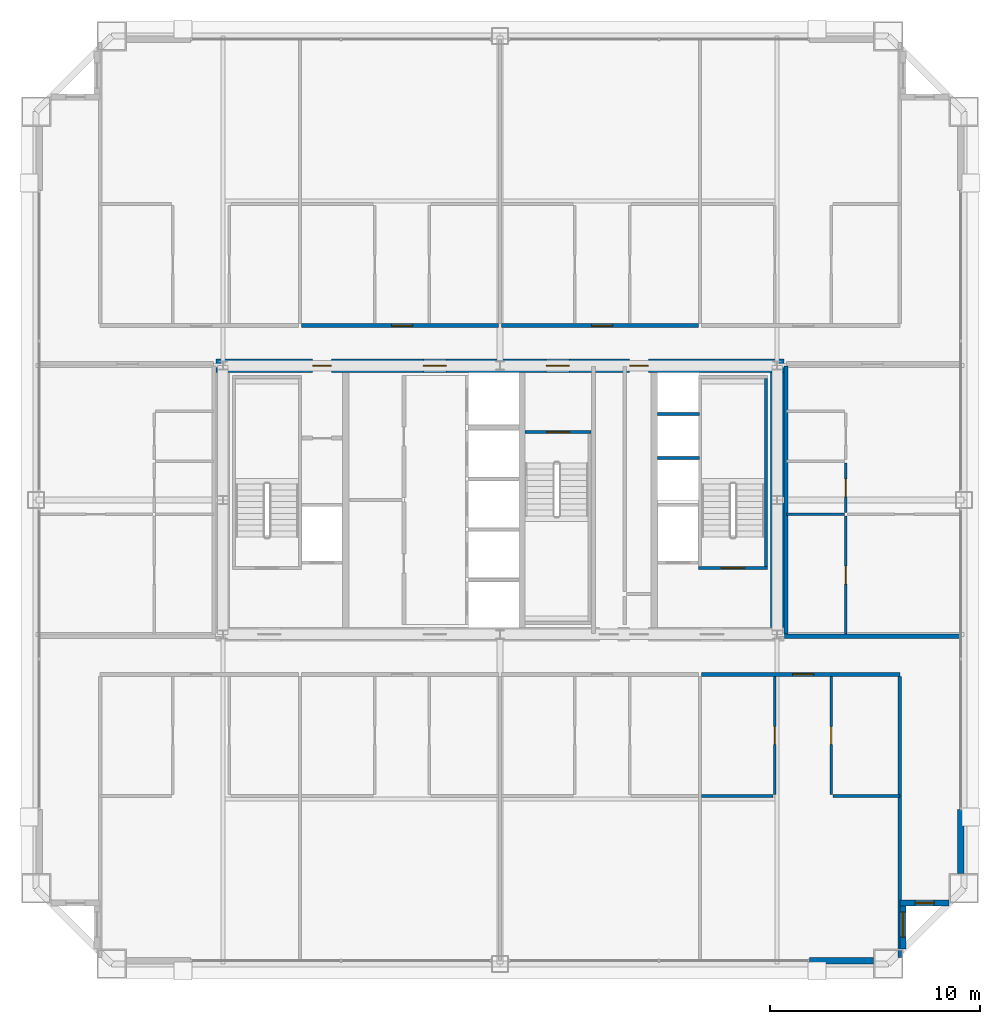
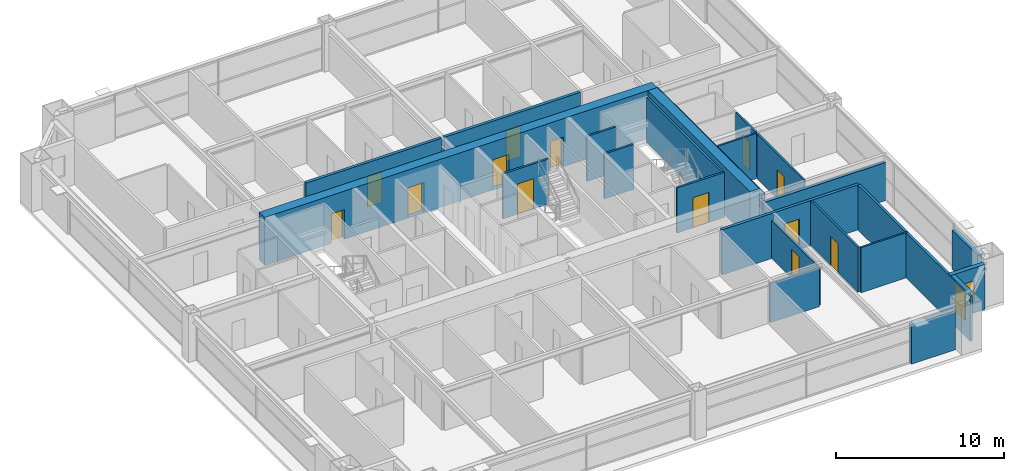
# One storey, part 35 of 38: 24 walls, 13 doors, 2 windows, 15 openings.
"""IFC4 building model written with IfcOpenShell, lengths in metres."""

from ifc_helpers import new_model, si_unit, direction, frame, frame_2d, origin, place, context, subcontext, project, spatial, rectangle, extrude, source, transform, mapped, material, layer, layer_set, type_object, element, fill, save


model = new_model("IFC4")

# Units and contexts
model_context = context("Model", 3, precision=1e-05, world=origin(), true_north=direction((0.0, 1.0)))
body_context = subcontext(model_context, "Body", "Model", "MODEL_VIEW")
ifc_project = project(units=[si_unit("LENGTHUNIT", "METRE"), si_unit("AREAUNIT", "SQUARE_METRE"), si_unit("VOLUMEUNIT", "CUBIC_METRE"), si_unit("PLANEANGLEUNIT", "RADIAN"), si_unit("MASSUNIT", "GRAM", prefix="KILO"), si_unit("THERMODYNAMICTEMPERATUREUNIT", "KELVIN"), si_unit("POWERUNIT", "WATT")], contexts=[model_context])

# Site, building, storey
site_placement = place(None, origin())
site = spatial("IfcSite", under=ifc_project, at=site_placement, CompositionType="ELEMENT")
building_placement = place(site_placement, origin())
building = spatial("IfcBuilding", under=site, at=building_placement, Name="Yuzanri Waterfront Tower", CompositionType="ELEMENT")
storey_placement = place(building_placement, frame((0.0, 0.0, 181.0)))
storey = spatial("IfcBuildingStorey", under=building, at=storey_placement, Name="L47", CompositionType="ELEMENT", Elevation=181.0)

# Wall, opening, door
ifc_material_1 = material(Name="Moisture-Resistant Gypsum Stud Wall", Category="gypsum")
ifc_layer_1 = layer(ifc_material_1, 0.1201171875)
ifc_layer_set_1 = layer_set([ifc_layer_1], Name="Moisture-Resistant Gypsum Stud Wall")
wall_type_1 = type_object("IfcWallType", Name="Bathroom and Kitchen Wet Partition 120", PredefinedType="PARTITIONING", material=ifc_layer_set_1)
wall_1_placement = place(storey_placement, frame((50.090087890625, 11.780029296875, 0.0), z_axis=(0.0, 0.0, 1.0), x_axis=(0.0, 1.0, 0.0)))
wall_1 = element("IfcWall", 1, at=wall_1_placement, inside=storey, type_object=wall_type_1, Name="L47 Partition UW-L47-RS4-SUB-1-E", PredefinedType="PARTITIONING", context=body_context, shape_type="SweptSolid", body=[
    extrude(rectangle(XDim=5.60986328125, YDim=0.1201171875, at=frame_2d((2.804931640625, 0.0))), origin(), (0.0, 0.0, 1.0), 2.77490234375),
])
opening_1_placement = place(wall_1_placement, frame((2.3798828125, 0.0, 0.0)))
opening_1 = element("IfcOpeningElement", 2, at=opening_1_placement, cuts=wall_1, Name="Opening ID-0850", PredefinedType="OPENING", context=body_context, shape_type="SweptSolid", body=[
    extrude(rectangle(XDim=0.85009765625, YDim=2.10009765625, at=frame_2d((0.425048828125, 1.050048828125))), frame((0.0, 0.074951171875, 0.0), z_axis=(0.0, -1.0, 0.0), x_axis=(1.0, 0.0, 0.0)), (0.0, 0.0, 1.0), 0.14990234375),
])
ifc_material_2 = material(Name="Moisture-Resistant Lacquered Timber", Category="wood")
door_type_1 = type_object("IfcDoorType", Name="En-Suite Bathroom and Kitchen Swing Door 850x2100", OperationType="NOTDEFINED", PredefinedType="DOOR", material=ifc_material_2)
shared_shape_1 = source(origin(), body_context, "Body", "SweptSolid", [
    extrude(rectangle(XDim=0.85009765625, YDim=2.10009765625, at=frame_2d((0.425048828125, 1.050048828125))), frame((0.0, 0.02490234375, 0.0), z_axis=(0.0, -1.0, 0.0), x_axis=(1.0, 0.0, 0.0)), (0.0, 0.0, 1.0), 0.050048828125),
])
door_1_placement = place(opening_1_placement, origin())
door_1 = element("IfcDoor", 3, at=door_1_placement, inside=storey, type_object=door_type_1, Name="L47 Suite Interior Room Door", OperationType="SINGLE_SWING_RIGHT", OverallHeight=2.10009765625, OverallWidth=0.85009765625, PredefinedType="DOOR", context=body_context, shape_type="MappedRepresentation", body=[
    mapped(shared_shape_1, transform((0.0, 0.0, 0.0), scale=1.0)),
])
fill(opening_1, door_1)

wall_2_placement = place(storey_placement, frame((52.780029296875, 11.780029296875, 0.0), z_axis=(0.0, 0.0, 1.0), x_axis=(0.0, 1.0, 0.0)))
wall_2 = element("IfcWall", 4, at=wall_2_placement, inside=storey, type_object=wall_type_1, Name="L47 Partition UW-L47-RS4-SUB-2-W", PredefinedType="PARTITIONING", context=body_context, shape_type="SweptSolid", body=[
    extrude(rectangle(XDim=5.60986328125, YDim=0.1201171875, at=frame_2d((2.804931640625, 0.0))), origin(), (0.0, 0.0, 1.0), 3.280029296875),
])
opening_2_placement = place(wall_2_placement, frame((2.3798828125, 0.0, 0.0)))
opening_2 = element("IfcOpeningElement", 5, at=opening_2_placement, cuts=wall_2, Name="Opening ID-0850", PredefinedType="OPENING", context=body_context, shape_type="SweptSolid", body=[
    extrude(rectangle(XDim=0.85009765625, YDim=2.10009765625, at=frame_2d((0.425048828125, 1.050048828125))), frame((0.0, 0.074951171875, 0.0), z_axis=(0.0, -1.0, 0.0), x_axis=(1.0, 0.0, 0.0)), (0.0, 0.0, 1.0), 0.14990234375),
])
door_2_placement = place(opening_2_placement, origin())
door_2 = element("IfcDoor", 6, at=door_2_placement, inside=storey, type_object=door_type_1, Name="L47 Suite Interior Room Door", OperationType="SINGLE_SWING_LEFT", OverallHeight=2.10009765625, OverallWidth=0.85009765625, PredefinedType="DOOR", context=body_context, shape_type="MappedRepresentation", body=[
    mapped(shared_shape_1, transform((0.0, 0.0, 0.0), scale=1.0)),
])
fill(opening_2, door_2)

wall_3_placement = place(storey_placement, frame((53.47998046875, 25.193115234375, 0.0), z_axis=(0.0, 0.0, 1.0), x_axis=(0.0, 1.0, 0.0)))
wall_3 = element("IfcWall", 7, at=wall_3_placement, inside=storey, type_object=wall_type_1, Name="L47 Partition UW-L47-RE1-SUB-1-E", PredefinedType="PARTITIONING", context=body_context, shape_type="SweptSolid", body=[
    extrude(rectangle(XDim=2.37890625, YDim=0.1201171875, at=frame_2d((1.189453125, 0.0))), origin(), (0.0, 0.0, 1.0), 3.280029296875),
])
opening_3_placement = place(wall_3_placement, frame((0.764404296875, 0.0, 0.0)))
opening_3 = element("IfcOpeningElement", 8, at=opening_3_placement, cuts=wall_3, Name="Opening ID-0850", PredefinedType="OPENING", context=body_context, shape_type="SweptSolid", body=[
    extrude(rectangle(XDim=0.85009765625, YDim=2.10009765625, at=frame_2d((0.425048828125, 1.050048828125))), frame((0.0, 0.074951171875, 0.0), z_axis=(0.0, -1.0, 0.0), x_axis=(1.0, 0.0, 0.0)), (0.0, 0.0, 1.0), 0.14990234375),
])
door_3_placement = place(opening_3_placement, origin())
door_3 = element("IfcDoor", 9, at=door_3_placement, inside=storey, type_object=door_type_1, Name="L47 Suite Interior Room Door", OperationType="SINGLE_SWING_RIGHT", OverallHeight=2.10009765625, OverallWidth=0.85009765625, PredefinedType="DOOR", context=body_context, shape_type="MappedRepresentation", body=[
    mapped(shared_shape_1, transform((0.0, 0.0, 0.0), scale=1.0)),
])
fill(opening_3, door_3)

wall_4_placement = place(storey_placement, frame((53.47998046875, 19.409912109375, 0.0), z_axis=(0.0, 0.0, 1.0), x_axis=(0.0, 1.0, 0.0)))
wall_4 = element("IfcWall", 10, at=wall_4_placement, inside=storey, type_object=wall_type_1, Name="L47 Partition UW-L47-RE1-SUB-3-W", PredefinedType="PARTITIONING", context=body_context, shape_type="SweptSolid", body=[
    extrude(rectangle(XDim=5.623046875, YDim=0.1201171875, at=frame_2d((2.8115234375, 0.0))), origin(), (0.0, 0.0, 1.0), 3.280029296875),
])
opening_4_placement = place(wall_4_placement, frame((2.386474609375, 0.0, 0.0)))
opening_4 = element("IfcOpeningElement", 11, at=opening_4_placement, cuts=wall_4, Name="Opening ID-0850", PredefinedType="OPENING", context=body_context, shape_type="SweptSolid", body=[
    extrude(rectangle(XDim=0.85009765625, YDim=2.10009765625, at=frame_2d((0.425048828125, 1.050048828125))), frame((0.0, 0.074951171875, 0.0), z_axis=(0.0, -1.0, 0.0), x_axis=(1.0, 0.0, 0.0)), (0.0, 0.0, 1.0), 0.14990234375),
])
door_4_placement = place(opening_4_placement, origin())
door_4 = element("IfcDoor", 12, at=door_4_placement, inside=storey, type_object=door_type_1, Name="L47 Suite Interior Room Door", OperationType="SINGLE_SWING_LEFT", OverallHeight=2.10009765625, OverallWidth=0.85009765625, PredefinedType="DOOR", context=body_context, shape_type="MappedRepresentation", body=[
    mapped(shared_shape_1, transform((0.0, 0.0, 0.0), scale=1.0)),
])
fill(opening_4, door_4)

# Wall, opening, window
ifc_material_3 = material(Name="Honed Chongqing Dark Basalt Stone", Category="masonry")
ifc_layer_2 = layer(ifc_material_3, 0.300048828125)
ifc_layer_set_2 = layer_set([ifc_layer_2], Name="Honed Chongqing Dark Basalt Stone")
wall_type_2 = type_object("IfcWallType", Name="Bronze Rainscreen Insulated Spandrel Portal Wall 300", PredefinedType="SOLIDWALL", material=ifc_layer_set_2)
wall_5_placement = place(storey_placement, frame((56.050048828125, 6.60009765625, 0.0), z_axis=(0.0, 0.0, 1.0), x_axis=(1.0, 0.0, 0.0)))
wall_5 = element("IfcWall", 13, at=wall_5_placement, inside=storey, type_object=wall_type_2, Name="L47 Notched Corner Masonry Wall SE-X", PredefinedType="SOLIDWALL", context=body_context, shape_type="SweptSolid", body=[
    extrude(rectangle(XDim=2.349853515625, YDim=0.300048828125, at=frame_2d((1.1748046875, 0.0))), origin(), (0.0, 0.0, 1.0), 3.280029296875),
])
opening_5_placement = place(wall_5_placement, frame((0.72509765625, 0.0, 0.85009765625)))
opening_5 = element("IfcOpeningElement", 14, at=opening_5_placement, cuts=wall_5, Name="Opening WN-05", PredefinedType="OPENING", context=body_context, shape_type="SweptSolid", body=[
    extrude(rectangle(XDim=0.89990234375, YDim=1.5, at=frame_2d((0.449951171875, 0.75))), frame((0.0, 0.1650390625, 0.0), z_axis=(0.0, -1.0, 0.0), x_axis=(1.0, 0.0, 0.0)), (0.0, 0.0, 1.0), 0.329833984375),
])
ifc_material_4 = material(Name="Double-Silver Low-E Insulated Glass", Category="glass")
window_type_1 = type_object("IfcWindowType", Name="Anodized Bronze Service and Stairwell Smoke-Vent Window 900x1500", PartitioningType="SINGLE_PANEL", PredefinedType="WINDOW", material=ifc_material_4)
shared_shape_2 = source(origin(), body_context, "Body", "SweptSolid", [
    extrude(rectangle(XDim=0.89990234375, YDim=1.5, at=frame_2d((0.449951171875, 0.75))), frame((0.0, 0.030029296875, 0.0), z_axis=(0.0, -1.0, 0.0), x_axis=(1.0, 0.0, 0.0)), (0.0, 0.0, 1.0), 0.06005859375),
])
window_1_placement = place(opening_5_placement, origin())
window_1 = element("IfcWindow", 15, at=window_1_placement, inside=storey, type_object=window_type_1, Name="L47 Notched Corner Window SE-X", OverallHeight=1.5, OverallWidth=0.89990234375, PartitioningType="SINGLE_PANEL", PredefinedType="WINDOW", context=body_context, shape_type="MappedRepresentation", body=[
    mapped(shared_shape_2, transform((0.0, 0.0, 0.0), scale=1.0)),
])
fill(opening_5, window_1)

wall_6_placement = place(storey_placement, frame((56.199951171875, 4.39990234375, 0.0), z_axis=(0.0, 0.0, 1.0), x_axis=(0.0, 1.0, 0.0)))
wall_6 = element("IfcWall", 16, at=wall_6_placement, inside=storey, type_object=wall_type_2, Name="L47 Notched Corner Masonry Wall SE-Y", PredefinedType="SOLIDWALL", context=body_context, shape_type="SweptSolid", body=[
    extrude(rectangle(XDim=2.35009765625, YDim=0.300048828125, at=frame_2d((1.175048828125, 0.0))), origin(), (0.0, 0.0, 1.0), 3.280029296875),
])
opening_6_placement = place(wall_6_placement, frame((0.574951171875, 0.0, 0.85009765625)))
opening_6 = element("IfcOpeningElement", 17, at=opening_6_placement, cuts=wall_6, Name="Opening WN-02", PredefinedType="OPENING", context=body_context, shape_type="SweptSolid", body=[
    extrude(rectangle(XDim=1.199951171875, YDim=2.10009765625, at=frame_2d((0.60009765625, 1.050048828125))), frame((0.0, 0.1650390625, 0.0), z_axis=(0.0, -1.0, 0.0), x_axis=(1.0, 0.0, 0.0)), (0.0, 0.0, 1.0), 0.329833984375),
])
ifc_material_5 = material(Name="Double-Silver Low-E Insulated Glass", Category="glass")
window_type_2 = type_object("IfcWindowType", Name="Anodized Bronze Notched Corner Deep-Set Slot Window 1200x2100", PartitioningType="SINGLE_PANEL", PredefinedType="WINDOW", material=ifc_material_5)
shared_shape_3 = source(origin(), body_context, "Body", "SweptSolid", [
    extrude(rectangle(XDim=1.199951171875, YDim=2.10009765625, at=frame_2d((0.60009765625, 1.050048828125))), frame((0.0, 0.030029296875, 0.0), z_axis=(0.0, -1.0, 0.0), x_axis=(1.0, 0.0, 0.0)), (0.0, 0.0, 1.0), 0.06005859375),
])
window_2_placement = place(opening_6_placement, origin())
window_2 = element("IfcWindow", 18, at=window_2_placement, inside=storey, type_object=window_type_2, Name="L47 Notched Corner Window SE-Y", OverallHeight=2.10009765625, OverallWidth=1.199951171875, PartitioningType="SINGLE_PANEL", PredefinedType="WINDOW", context=body_context, shape_type="MappedRepresentation", body=[
    mapped(shared_shape_3, transform((0.0, 0.0, 0.0), scale=1.0)),
])
fill(opening_6, window_2)

# Wall, openings, doors
ifc_material_6 = material(Name="Concrete C50", Category="concrete")
ifc_layer_3 = layer(ifc_material_6, 0.64990234375)
ifc_layer_set_3 = layer_set([ifc_layer_3], Name="Concrete C50")
wall_type_3 = type_object("IfcWallType", Name="Concrete C50 Mid Zone Core Shear Wall 650", PredefinedType="SHEAR", material=ifc_layer_set_3)
wall_7_placement = place(storey_placement, frame((23.47509765625, 32.199951171875, 0.0), z_axis=(0.0, 0.0, 1.0), x_axis=(1.0, 0.0, 0.0)))
wall_7 = element("IfcWall", 19, at=wall_7_placement, inside=storey, type_object=wall_type_3, Name="L47 Core North Shear Wall", PredefinedType="SHEAR", context=body_context, shape_type="SweptSolid", body=[
    extrude(rectangle(XDim=27.0498046875, YDim=0.64990234375, at=frame_2d((13.52490234375, 0.0))), origin(), (0.0, 0.0, 1.0), 3.5),
])
opening_7_placement = place(wall_7_placement, frame((4.594970703125, 0.0, 0.0)))
opening_7 = element("IfcOpeningElement", 20, at=opening_7_placement, cuts=wall_7, Name="Opening FD-0900", PredefinedType="OPENING", context=body_context, shape_type="SweptSolid", body=[
    extrude(rectangle(XDim=0.89990234375, YDim=2.14990234375, at=frame_2d((0.449951171875, 1.074951171875))), frame((0.0, 0.33984375, 0.0), z_axis=(0.0, -1.0, 0.0), x_axis=(1.0, 0.0, 0.0)), (0.0, 0.0, 1.0), 0.6796875),
])
opening_8_placement = place(wall_7_placement, frame((9.875, 0.0, 0.0)))
opening_8 = element("IfcOpeningElement", 21, at=opening_8_placement, cuts=wall_7, Name="Opening FD-1100", PredefinedType="OPENING", context=body_context, shape_type="SweptSolid", body=[
    extrude(rectangle(XDim=1.10009765625, YDim=2.199951171875, at=frame_2d((0.550048828125, 1.10009765625))), frame((0.0, 0.33984375, 0.0), z_axis=(0.0, -1.0, 0.0), x_axis=(1.0, 0.0, 0.0)), (0.0, 0.0, 1.0), 0.6796875),
])
opening_9_placement = place(wall_7_placement, frame((15.72509765625, 0.0, 0.0)))
opening_9 = element("IfcOpeningElement", 22, at=opening_9_placement, cuts=wall_7, Name="Opening FD-1100", PredefinedType="OPENING", context=body_context, shape_type="SweptSolid", body=[
    extrude(rectangle(XDim=1.10009765625, YDim=2.199951171875, at=frame_2d((0.550048828125, 1.10009765625))), frame((0.0, 0.33984375, 0.0), z_axis=(0.0, -1.0, 0.0), x_axis=(1.0, 0.0, 0.0)), (0.0, 0.0, 1.0), 0.6796875),
])
opening_10_placement = place(wall_7_placement, frame((19.695068359375, 0.0, 0.0)))
opening_10 = element("IfcOpeningElement", 23, at=opening_10_placement, cuts=wall_7, Name="Opening FD-0900", PredefinedType="OPENING", context=body_context, shape_type="SweptSolid", body=[
    extrude(rectangle(XDim=0.89990234375, YDim=2.14990234375, at=frame_2d((0.449951171875, 1.074951171875))), frame((0.0, 0.33984375, 0.0), z_axis=(0.0, -1.0, 0.0), x_axis=(1.0, 0.0, 0.0)), (0.0, 0.0, 1.0), 0.6796875),
])
ifc_material_7 = material(Name="Painted Galvanized Fire Steel", Category="steel")
door_type_2 = type_object("IfcDoorType", Name="Smoke-Proof Stair and Lobby Fire Door 1100x2200", OperationType="NOTDEFINED", PredefinedType="DOOR", material=ifc_material_7)
shared_shape_4 = source(origin(), body_context, "Body", "SweptSolid", [
    extrude(rectangle(XDim=1.10009765625, YDim=2.199951171875, at=frame_2d((0.550048828125, 1.10009765625))), frame((0.0, 0.02490234375, 0.0), z_axis=(0.0, -1.0, 0.0), x_axis=(1.0, 0.0, 0.0)), (0.0, 0.0, 1.0), 0.050048828125),
])
door_5_placement = place(opening_8_placement, origin())
door_5 = element("IfcDoor", 24, at=door_5_placement, inside=storey, type_object=door_type_2, Name="L47 Central Lift Lobby North Door", OperationType="SINGLE_SWING_RIGHT", OverallHeight=2.199951171875, OverallWidth=1.10009765625, PredefinedType="DOOR", context=body_context, shape_type="MappedRepresentation", body=[
    mapped(shared_shape_4, transform((0.0, 0.0, 0.0), scale=1.0)),
])
fill(opening_8, door_5)
door_6_placement = place(opening_9_placement, origin())
door_6 = element("IfcDoor", 25, at=door_6_placement, inside=storey, type_object=door_type_2, Name="L47 North Stair Lobby Door", OperationType="SINGLE_SWING_LEFT", OverallHeight=2.199951171875, OverallWidth=1.10009765625, PredefinedType="DOOR", context=body_context, shape_type="MappedRepresentation", body=[
    mapped(shared_shape_4, transform((0.0, 0.0, 0.0), scale=1.0)),
])
fill(opening_9, door_6)
ifc_material_8 = material(Name="Painted Galvanized Fire Steel", Category="steel")
door_type_3 = type_object("IfcDoorType", Name="Riser and Service Room Fire Door 900x2150", OperationType="NOTDEFINED", PredefinedType="DOOR", material=ifc_material_8)
shared_shape_5 = source(origin(), body_context, "Body", "SweptSolid", [
    extrude(rectangle(XDim=0.89990234375, YDim=2.14990234375, at=frame_2d((0.449951171875, 1.074951171875))), frame((0.0, 0.02490234375, 0.0), z_axis=(0.0, -1.0, 0.0), x_axis=(1.0, 0.0, 0.0)), (0.0, 0.0, 1.0), 0.050048828125),
])
door_7_placement = place(opening_7_placement, origin())
door_7 = element("IfcDoor", 26, at=door_7_placement, inside=storey, type_object=door_type_3, Name="L47 Telecom Riser Door", OperationType="SINGLE_SWING_LEFT", OverallHeight=2.14990234375, OverallWidth=0.89990234375, PredefinedType="DOOR", context=body_context, shape_type="MappedRepresentation", body=[
    mapped(shared_shape_5, transform((0.0, 0.0, 0.0), scale=1.0)),
])
fill(opening_7, door_7)
door_8_placement = place(opening_10_placement, origin())
door_8 = element("IfcDoor", 27, at=door_8_placement, inside=storey, type_object=door_type_3, Name="L47 Linen Store Room", OperationType="SINGLE_SWING_LEFT", OverallHeight=2.14990234375, OverallWidth=0.89990234375, PredefinedType="DOOR", context=body_context, shape_type="MappedRepresentation", body=[
    mapped(shared_shape_5, transform((0.0, 0.0, 0.0), scale=1.0)),
])
fill(opening_10, door_8)

# Wall, opening, door
ifc_material_9 = material(Name="Concrete C40", Category="concrete")
ifc_layer_4 = layer(ifc_material_9, 0.139892578125)
ifc_layer_set_4 = layer_set([ifc_layer_4], Name="Concrete C40")
wall_type_4 = type_object("IfcWallType", Name="Core Stair Liner and Hoistway Shaft Wall 140", PredefinedType="SOLIDWALL", material=ifc_layer_set_4)
wall_8_placement = place(storey_placement, frame((46.4599609375, 22.570068359375, 0.0), z_axis=(0.0, 0.0, 1.0), x_axis=(1.0, 0.0, 0.0)))
wall_8 = element("IfcWall", 28, at=wall_8_placement, inside=storey, type_object=wall_type_4, Name="L47 Shaft Wall STW-L47-ST-02-S", PredefinedType="SOLIDWALL", context=body_context, shape_type="SweptSolid", body=[
    extrude(rectangle(XDim=3.280029296875, YDim=0.139892578125, at=frame_2d((1.64013671875, 0.0))), origin(), (0.0, 0.0, 1.0), 3.280029296875),
])
opening_11_placement = place(wall_8_placement, frame((1.090087890625, 0.0, 0.0)))
opening_11 = element("IfcOpeningElement", 29, at=opening_11_placement, cuts=wall_8, Name="Opening FD-1100", PredefinedType="OPENING", context=body_context, shape_type="SweptSolid", body=[
    extrude(rectangle(XDim=1.10009765625, YDim=2.199951171875, at=frame_2d((0.550048828125, 1.10009765625))), frame((0.0, 0.0849609375, 0.0), z_axis=(0.0, -1.0, 0.0), x_axis=(1.0, 0.0, 0.0)), (0.0, 0.0, 1.0), 0.169677734375),
])
door_9_placement = place(opening_11_placement, origin())
door_9 = element("IfcDoor", 30, at=door_9_placement, inside=storey, type_object=door_type_2, Name="L47 Stair ST-02 Fire Door", OperationType="SINGLE_SWING_RIGHT", OverallHeight=2.199951171875, OverallWidth=1.10009765625, PredefinedType="DOOR", context=body_context, shape_type="MappedRepresentation", body=[
    mapped(shared_shape_4, transform((0.0, 0.0, 0.0), scale=1.0)),
])
fill(opening_11, door_9)

wall_9_placement = place(storey_placement, frame((38.199951171875, 29.030029296875, 0.0), z_axis=(0.0, 0.0, 1.0), x_axis=(1.0, 0.0, 0.0)))
wall_9 = element("IfcWall", 31, at=wall_9_placement, inside=storey, type_object=wall_type_4, Name="L47 Shaft Wall STW-L47-ST-03-N", PredefinedType="SOLIDWALL", context=body_context, shape_type="SweptSolid", body=[
    extrude(rectangle(XDim=3.14013671875, YDim=0.139892578125, at=frame_2d((1.570068359375, 0.0))), origin(), (0.0, 0.0, 1.0), 3.280029296875),
])
opening_12_placement = place(wall_9_placement, frame((1.02001953125, 0.0, 0.0)))
opening_12 = element("IfcOpeningElement", 32, at=opening_12_placement, cuts=wall_9, Name="Opening FD-1100", PredefinedType="OPENING", context=body_context, shape_type="SweptSolid", body=[
    extrude(rectangle(XDim=1.10009765625, YDim=2.199951171875, at=frame_2d((0.550048828125, 1.10009765625))), frame((0.0, 0.0849609375, 0.0), z_axis=(0.0, -1.0, 0.0), x_axis=(1.0, 0.0, 0.0)), (0.0, 0.0, 1.0), 0.169677734375),
])
door_10_placement = place(opening_12_placement, origin())
door_10 = element("IfcDoor", 33, at=door_10_placement, inside=storey, type_object=door_type_2, Name="L47 Stair ST-03 Fire Door", OperationType="SINGLE_SWING_LEFT", OverallHeight=2.199951171875, OverallWidth=1.10009765625, PredefinedType="DOOR", context=body_context, shape_type="MappedRepresentation", body=[
    mapped(shared_shape_4, transform((0.0, 0.0, 0.0), scale=1.0)),
])
fill(opening_12, door_10)

ifc_material_10 = material(Name="Autoclaved Aerated Concrete Blockwork", Category="masonry")
ifc_layer_5 = layer(ifc_material_10, 0.199951171875)
ifc_layer_set_5 = layer_set([ifc_layer_5], Name="Autoclaved Aerated Concrete Blockwork")
wall_type_5 = type_object("IfcWallType", Name="Corridor and Unit Party Fire Wall 200", PredefinedType="PARTITIONING", material=ifc_layer_set_5)
wall_10_placement = place(storey_placement, frame((46.610107421875, 17.489990234375, 0.0), z_axis=(0.0, 0.0, 1.0), x_axis=(1.0, 0.0, 0.0)))
wall_10 = element("IfcWall", 34, at=wall_10_placement, inside=storey, type_object=wall_type_5, Name="L47 Partition UW-L47-RS4-CN", PredefinedType="PARTITIONING", context=body_context, shape_type="SweptSolid", body=[
    extrude(rectangle(XDim=9.449951171875, YDim=0.199951171875, at=frame_2d((4.72509765625, 0.0))), origin(), (0.0, 0.0, 1.0), 3.280029296875),
])
opening_13_placement = place(wall_10_placement, frame((4.324951171875, 0.0, 0.0)))
opening_13 = element("IfcOpeningElement", 35, at=opening_13_placement, cuts=wall_10, Name="Opening FD-1000", PredefinedType="OPENING", context=body_context, shape_type="SweptSolid", body=[
    extrude(rectangle(XDim=1.0, YDim=2.199951171875, at=frame_2d((0.5, 1.10009765625))), frame((0.0, 0.11474609375, 0.0), z_axis=(0.0, -1.0, 0.0), x_axis=(1.0, 0.0, 0.0)), (0.0, 0.0, 1.0), 0.229736328125),
])
ifc_material_11 = material(Name="Engineered Oak Fire-Rated Timber", Category="wood")
door_type_4 = type_object("IfcDoorType", Name="Guestroom and Apartment Entrance Fire Door 1000x2200", OperationType="NOTDEFINED", PredefinedType="DOOR", material=ifc_material_11)
shared_shape_6 = source(origin(), body_context, "Body", "SweptSolid", [
    extrude(rectangle(XDim=1.0, YDim=2.199951171875, at=frame_2d((0.5, 1.10009765625))), frame((0.0, 0.02490234375, 0.0), z_axis=(0.0, -1.0, 0.0), x_axis=(1.0, 0.0, 0.0)), (0.0, 0.0, 1.0), 0.050048828125),
])
door_11_placement = place(opening_13_placement, origin())
door_11 = element("IfcDoor", 36, at=door_11_placement, inside=storey, type_object=door_type_4, Name="L47 Studio Living and Sleeping Room Entrance Door", OperationType="SINGLE_SWING_LEFT", OverallHeight=2.199951171875, OverallWidth=1.0, PredefinedType="DOOR", context=body_context, shape_type="MappedRepresentation", body=[
    mapped(shared_shape_6, transform((0.0, 0.0, 0.0), scale=1.0)),
])
fill(opening_13, door_11)

wall_11_placement = place(storey_placement, frame((27.550048828125, 34.110107421875, 0.0), z_axis=(0.0, 0.0, 1.0), x_axis=(1.0, 0.0, 0.0)))
wall_11 = element("IfcWall", 37, at=wall_11_placement, inside=storey, type_object=wall_type_5, Name="L47 Partition UW-L47-RN2-CS", PredefinedType="PARTITIONING", context=body_context, shape_type="SweptSolid", body=[
    extrude(rectangle(XDim=9.369873046875, YDim=0.199951171875, at=frame_2d((4.68505859375, 0.0))), origin(), (0.0, 0.0, 1.0), 3.280029296875),
])
opening_14_placement = place(wall_11_placement, frame((4.281982421875, 0.0, 0.0)))
opening_14 = element("IfcOpeningElement", 38, at=opening_14_placement, cuts=wall_11, Name="Opening FD-1000", PredefinedType="OPENING", context=body_context, shape_type="SweptSolid", body=[
    extrude(rectangle(XDim=1.0, YDim=2.199951171875, at=frame_2d((0.5, 1.10009765625))), frame((0.0, 0.11474609375, 0.0), z_axis=(0.0, -1.0, 0.0), x_axis=(1.0, 0.0, 0.0)), (0.0, 0.0, 1.0), 0.229736328125),
])
door_12_placement = place(opening_14_placement, origin())
door_12 = element("IfcDoor", 39, at=door_12_placement, inside=storey, type_object=door_type_4, Name="L47 Studio Living and Sleeping Room Entrance Door", OperationType="SINGLE_SWING_LEFT", OverallHeight=2.199951171875, OverallWidth=1.0, PredefinedType="DOOR", context=body_context, shape_type="MappedRepresentation", body=[
    mapped(shared_shape_6, transform((0.0, 0.0, 0.0), scale=1.0)),
])
fill(opening_14, door_12)

wall_12_placement = place(storey_placement, frame((37.080078125, 34.110107421875, 0.0), z_axis=(0.0, 0.0, 1.0), x_axis=(1.0, 0.0, 0.0)))
wall_12 = element("IfcWall", 40, at=wall_12_placement, inside=storey, type_object=wall_type_5, Name="L47 Partition UW-L47-RN3-CS", PredefinedType="PARTITIONING", context=body_context, shape_type="SweptSolid", body=[
    extrude(rectangle(XDim=9.369873046875, YDim=0.199951171875, at=frame_2d((4.68505859375, 0.0))), origin(), (0.0, 0.0, 1.0), 3.280029296875),
])
opening_15_placement = place(wall_12_placement, frame((4.281982421875, 0.0, 0.0)))
opening_15 = element("IfcOpeningElement", 41, at=opening_15_placement, cuts=wall_12, Name="Opening FD-1000", PredefinedType="OPENING", context=body_context, shape_type="SweptSolid", body=[
    extrude(rectangle(XDim=1.0, YDim=2.199951171875, at=frame_2d((0.5, 1.10009765625))), frame((0.0, 0.11474609375, 0.0), z_axis=(0.0, -1.0, 0.0), x_axis=(1.0, 0.0, 0.0)), (0.0, 0.0, 1.0), 0.229736328125),
])
door_13_placement = place(opening_15_placement, origin())
door_13 = element("IfcDoor", 42, at=door_13_placement, inside=storey, type_object=door_type_4, Name="L47 Studio Living and Sleeping Room Entrance Door", OperationType="SINGLE_SWING_RIGHT", OverallHeight=2.199951171875, OverallWidth=1.0, PredefinedType="DOOR", context=body_context, shape_type="MappedRepresentation", body=[
    mapped(shared_shape_6, transform((0.0, 0.0, 0.0), scale=1.0)),
])
fill(opening_15, door_13)

# Walls
shared_shape_7 = source(origin(), body_context, "Body", "SweptSolid", [
    extrude(rectangle(XDim=12.14990234375, YDim=0.64990234375, at=frame_2d((6.074951171875, 0.0))), origin(), (0.0, 0.0, 1.0), 3.5),
])
wall_13_placement = place(storey_placement, frame((50.199951171875, 19.72509765625, 0.0), z_axis=(0.0, 0.0, 1.0), x_axis=(0.0, 1.0, 0.0)))
element("IfcWall", 43, at=wall_13_placement, inside=storey, type_object=wall_type_3, Name="L47 Core East Shear Wall", PredefinedType="SHEAR", context=body_context, shape_type="MappedRepresentation", body=[
    mapped(shared_shape_7, transform((0.0, 0.0, 0.0), scale=1.0)),
])
shared_shape_8 = source(origin(), body_context, "Body", "SweptSolid", [
    extrude(rectangle(XDim=3.050048828125, YDim=0.300048828125, at=frame_2d((1.52490234375, 0.0))), origin(), (0.0, 0.0, 1.0), 2.8349609375),
])
for number, where, z_axis, x_axis, name in (
    (44, (51.75, 3.85009765625, 0.0), (0.0, 0.0, 1.0), (1.0, 0.0, 0.0), "L47 S Right Braced Masonry Shoulder"),
    (45, (58.949951171875, 8.0, 0.0), (0.0, 0.0, 1.0), (0.0, 1.0, 0.0), "L47 E Left Braced Masonry Shoulder"),
):
    element("IfcWall", number, at=place(storey_placement, frame(where, z_axis=z_axis, x_axis=x_axis)), inside=storey, type_object=wall_type_2, Name=name, PredefinedType="SOLIDWALL", context=body_context, shape_type="MappedRepresentation", body=[
        mapped(shared_shape_8, transform((0.0, 0.0, 0.0), scale=1.0)),
    ])
shared_shape_9 = source(origin(), body_context, "Body", "SweptSolid", [
    extrude(rectangle(XDim=2.0, YDim=0.139892578125, at=frame_2d((1.0, 0.0))), origin(), (0.0, 0.0, 1.0), 3.280029296875),
])
for number, where, z_axis, x_axis, name in (
    (46, (44.5, 27.800048828125, 0.0), (0.0, 0.0, 1.0), (1.0, 0.0, 0.0), "L47 Lift PL-09 Divider Wall"),
    (47, (44.5, 29.89990234375, 0.0), (0.0, 0.0, 1.0), (1.0, 0.0, 0.0), "L47 Lift PL-10 Divider Wall"),
):
    element("IfcWall", number, at=place(storey_placement, frame(where, z_axis=z_axis, x_axis=x_axis)), inside=storey, type_object=wall_type_4, Name=name, PredefinedType="SOLIDWALL", context=body_context, shape_type="MappedRepresentation", body=[
        mapped(shared_shape_9, transform((0.0, 0.0, 0.0), scale=1.0)),
    ])
shared_shape_10 = source(origin(), body_context, "Body", "SweptSolid", [
    extrude(rectangle(XDim=8.940185546875, YDim=0.139892578125, at=frame_2d((4.47021484375, 0.0))), origin(), (0.0, 0.0, 1.0), 3.280029296875),
])
wall_14_placement = place(storey_placement, frame((49.669921875, 22.639892578125, 0.0), z_axis=(0.0, 0.0, 1.0), x_axis=(0.0, 1.0, 0.0)))
element("IfcWall", 48, at=wall_14_placement, inside=storey, type_object=wall_type_4, Name="L47 Stair ST-02 East Shaft Wall", PredefinedType="SOLIDWALL", context=body_context, shape_type="MappedRepresentation", body=[
    mapped(shared_shape_10, transform((0.0, 0.0, 0.0), scale=1.0)),
])
ifc_material_12 = material(Name="Gypsum Fireboard Acoustic Stud Wall", Category="gypsum")
ifc_layer_6 = layer(ifc_material_12, 0.159912109375)
ifc_layer_set_6 = layer_set([ifc_layer_6], Name="Gypsum Fireboard Acoustic Stud Wall")
wall_type_6 = type_object("IfcWallType", Name="Acoustic Suite Demising Partition 160", PredefinedType="PARTITIONING", material=ifc_layer_set_6)
shared_shape_11 = source(origin(), body_context, "Body", "SweptSolid", [
    extrude(rectangle(XDim=13.389892578125, YDim=0.159912109375, at=frame_2d((6.69482421875, 0.0))), origin(), (0.0, 0.0, 1.0), 3.280029296875),
])
wall_15_placement = place(storey_placement, frame((56.050048828125, 4.0, 0.0), z_axis=(0.0, 0.0, 1.0), x_axis=(0.0, 1.0, 0.0)))
element("IfcWall", 49, at=wall_15_placement, inside=storey, type_object=wall_type_6, Name="L47 South Band East End Wall", PredefinedType="PARTITIONING", context=body_context, shape_type="MappedRepresentation", body=[
    mapped(shared_shape_11, transform((0.0, 0.0, 0.0), scale=1.0)),
])
shared_shape_12 = source(origin(), body_context, "Body", "SweptSolid", [
    extrude(rectangle(XDim=3.39990234375, YDim=0.1201171875, at=frame_2d((1.699951171875, 0.0))), origin(), (0.0, 0.0, 1.0), 2.875),
])
wall_16_placement = place(storey_placement, frame((46.610107421875, 11.699951171875, 0.0), z_axis=(0.0, 0.0, 1.0), x_axis=(1.0, 0.0, 0.0)))
element("IfcWall", 50, at=wall_16_placement, inside=storey, type_object=wall_type_1, Name="L47 Partition UW-L47-RS4-SUB-1-S", PredefinedType="PARTITIONING", context=body_context, shape_type="MappedRepresentation", body=[
    mapped(shared_shape_12, transform((0.0, 0.0, 0.0), scale=1.0)),
])
shared_shape_13 = source(origin(), body_context, "Body", "SweptSolid", [
    extrude(rectangle(XDim=3.199951171875, YDim=0.1201171875, at=frame_2d((1.60009765625, 0.0))), origin(), (0.0, 0.0, 1.0), 3.280029296875),
])
wall_17_placement = place(storey_placement, frame((52.860107421875, 11.699951171875, 0.0), z_axis=(0.0, 0.0, 1.0), x_axis=(1.0, 0.0, 0.0)))
element("IfcWall", 51, at=wall_17_placement, inside=storey, type_object=wall_type_1, Name="L47 Partition UW-L47-RS4-SUB-2-S", PredefinedType="PARTITIONING", context=body_context, shape_type="MappedRepresentation", body=[
    mapped(shared_shape_13, transform((0.0, 0.0, 0.0), scale=1.0)),
])
shared_shape_14 = source(origin(), body_context, "Body", "SweptSolid", [
    extrude(rectangle(XDim=8.39990234375, YDim=0.199951171875, at=frame_2d((4.199951171875, 0.0))), origin(), (0.0, 0.0, 1.0), 2.77490234375),
])
wall_18_placement = place(storey_placement, frame((50.550048828125, 19.31005859375, 0.0), z_axis=(0.0, 0.0, 1.0), x_axis=(1.0, 0.0, 0.0)))
element("IfcWall", 52, at=wall_18_placement, inside=storey, type_object=wall_type_5, Name="L47-RE1 Wing South Wall", PredefinedType="PARTITIONING", context=body_context, shape_type="MappedRepresentation", body=[
    mapped(shared_shape_14, transform((0.0, 0.0, 0.0), scale=1.0)),
])
shared_shape_15 = source(origin(), body_context, "Body", "SweptSolid", [
    extrude(rectangle(XDim=12.780029296875, YDim=0.199951171875, at=frame_2d((6.39013671875, 0.0))), origin(), (0.0, 0.0, 1.0), 3.280029296875),
])
wall_19_placement = place(storey_placement, frame((50.6298828125, 19.409912109375, 0.0), z_axis=(0.0, 0.0, 1.0), x_axis=(0.0, 1.0, 0.0)))
element("IfcWall", 53, at=wall_19_placement, inside=storey, type_object=wall_type_5, Name="L47-RE1 Wing Inner Core-Side Wall", PredefinedType="PARTITIONING", context=body_context, shape_type="MappedRepresentation", body=[
    mapped(shared_shape_15, transform((0.0, 0.0, 0.0), scale=1.0)),
])
shared_shape_16 = source(origin(), body_context, "Body", "SweptSolid", [
    extrude(rectangle(XDim=2.75, YDim=0.1201171875, at=frame_2d((1.375, 0.0))), origin(), (0.0, 0.0, 1.0), 3.280029296875),
])
wall_20_placement = place(storey_placement, frame((50.64990234375, 25.113037109375, 0.0), z_axis=(0.0, 0.0, 1.0), x_axis=(1.0, 0.0, 0.0)))
element("IfcWall", 54, at=wall_20_placement, inside=storey, type_object=wall_type_1, Name="L47 Partition UW-L47-RE1-SUB-1-S", PredefinedType="PARTITIONING", context=body_context, shape_type="MappedRepresentation", body=[
    mapped(shared_shape_16, transform((0.0, 0.0, 0.0), scale=1.0)),
])

save(model, "model.ifc")
